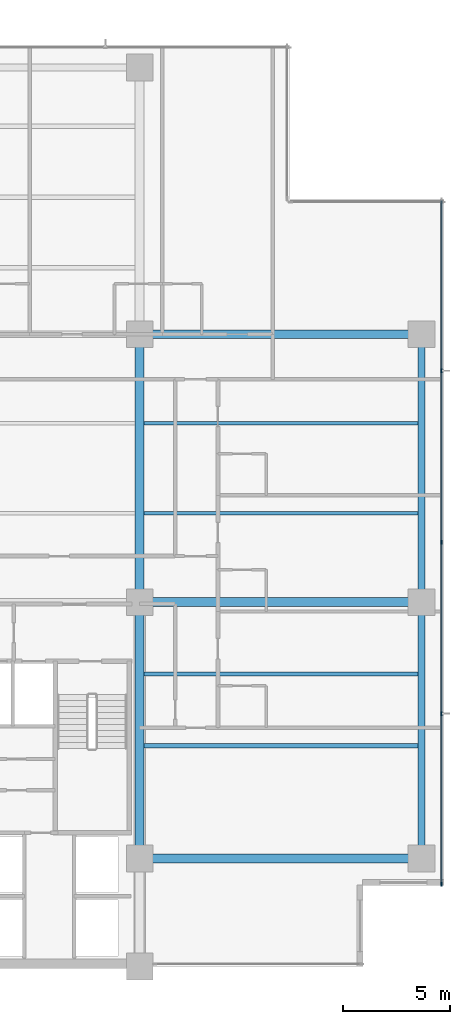
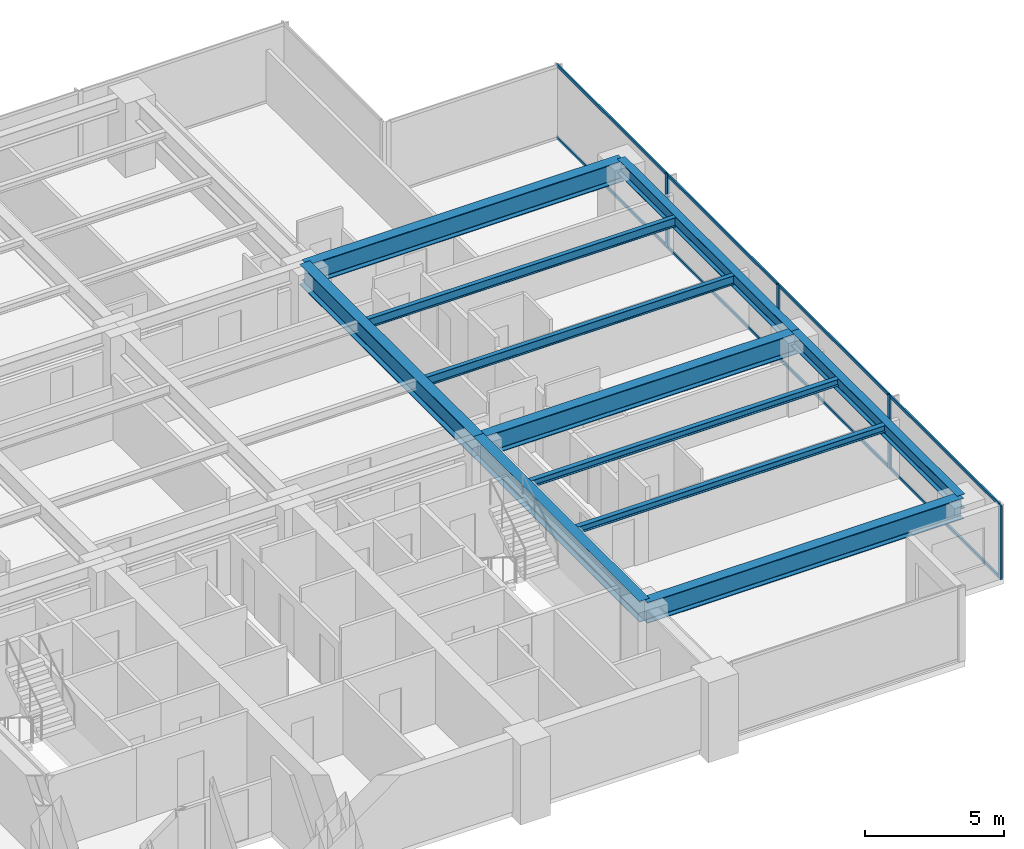
# One storey, part 4 of 17: 12 members, 11 beams, 1 element without a shape of its own.
"""IFC4 building model written with IfcOpenShell, lengths in metres."""

from ifc_helpers import new_model, si_unit, direction, frame, origin, origin_2d, place, context, subcontext, project, spatial, rectangle, i_section, extrude, material, layer, layer_set, material_profile, profile_set, type_object, element, aggregate, save


model = new_model("IFC4")

# Units and contexts
model_context = context("Model", 3, precision=1e-05, world=origin(), true_north=direction((0.0, 1.0)))
body_context = subcontext(model_context, "Body", "Model", "MODEL_VIEW")
ifc_project = project(units=[si_unit("LENGTHUNIT", "METRE"), si_unit("AREAUNIT", "SQUARE_METRE"), si_unit("VOLUMEUNIT", "CUBIC_METRE"), si_unit("PLANEANGLEUNIT", "RADIAN"), si_unit("MASSUNIT", "GRAM", prefix="KILO")], contexts=[model_context])

# Site, building, storey
site_placement = place(None, origin())
site = spatial("IfcSite", under=ifc_project, at=site_placement, CompositionType="ELEMENT")
building_placement = place(site_placement, origin())
building = spatial("IfcBuilding", under=site, at=building_placement, Name="Qalmaran Belvedere Hotel", CompositionType="ELEMENT")
storey_placement = place(building_placement, frame((0.0, 0.0, 109.199951171875)))
storey = spatial("IfcBuildingStorey", under=building, at=storey_placement, Name="L27", CompositionType="ELEMENT", Elevation=109.199951171875)

# Beams
ifc_material_1 = material(Name="Steel S355JR", Category="steel")
ifc_material_profile_1 = material_profile(ifc_material_1, i_section(OverallWidth=0.202880859375, OverallDepth=0.302978515625, WebThickness=0.007568359375, FlangeThickness=0.01318359375, FilletRadius=0.012939453125, at=origin_2d()), Name="W310X60")
ifc_profile_set_1 = profile_set([ifc_material_profile_1], Name="Steel S355JR")
beam_type_1 = type_object("IfcBeamType", Name="BM-JST-W310X60", PredefinedType="JOIST", material=ifc_profile_set_1)
for number, where, z_axis, x_axis, name in (
    (1, (45.007080078125, 13.800048828125, 3.088623046875), (1.0, 0.0, 0.0), (0.0, 1.0, 0.0), "L27 East Wing Joist 039"),
    (2, (45.007080078125, 17.14990234375, 3.088623046875), (1.0, 0.0, 0.0), (0.0, 1.0, 0.0), "L27 East Wing Joist 041"),
):
    element("IfcBeam", number, at=place(storey_placement, frame(where, z_axis=z_axis, x_axis=x_axis)), inside=storey, type_object=beam_type_1, Name=name, PredefinedType="JOIST", context=body_context, shape_type="SweptSolid", body=[
        extrude(i_section(OverallWidth=0.202880859375, OverallDepth=0.302978515625, WebThickness=0.007568359375, FlangeThickness=0.01318359375, FilletRadius=0.012939453125, at=origin_2d()), origin(), (0.0, 0.0, 1.0), 12.781494140625),
    ])
ifc_material_profile_2 = material_profile(ifc_material_1, i_section(OverallWidth=0.41796875, OverallDepth=0.912109375, WebThickness=0.019287109375, FlangeThickness=0.031982421875, FilletRadius=0.02392578125, at=origin_2d()), Name="W920X342")
ifc_profile_set_2 = profile_set([ifc_material_profile_2], Name="Steel S355JR")
beam_type_2 = type_object("IfcBeamType", Name="BM-PG2-W920X342", PredefinedType="USERDEFINED", material=ifc_profile_set_2)
beam_1_placement = place(storey_placement, frame((44.800048828125, 20.5, 2.783935546875), z_axis=(0.0, 1.0, 0.0), x_axis=(-1.0, 0.0, 0.0)))
element("IfcBeam", 3, at=beam_1_placement, inside=storey, type_object=beam_type_2, Name="L27 Mid-Plate N-S Girder 20", ObjectType="GIRDER", PredefinedType="USERDEFINED", context=body_context, shape_type="SweptSolid", body=[
    extrude(i_section(OverallWidth=0.41796875, OverallDepth=0.912109375, WebThickness=0.019287109375, FlangeThickness=0.031982421875, FilletRadius=0.02392578125, at=origin_2d()), origin(), (0.0, 0.0, 1.0), 12.5),
])
beam_2_placement = place(storey_placement, frame((44.800048828125, 8.550048828125, 2.783935546875), z_axis=(0.0, 1.0, 0.0), x_axis=(-1.0, 0.0, 0.0)))
element("IfcBeam", 4, at=beam_2_placement, inside=storey, type_object=beam_type_2, Name="L27 East Core Edge Girder B", ObjectType="GIRDER", PredefinedType="USERDEFINED", context=body_context, shape_type="SweptSolid", body=[
    extrude(i_section(OverallWidth=0.41796875, OverallDepth=0.912109375, WebThickness=0.019287109375, FlangeThickness=0.031982421875, FilletRadius=0.02392578125, at=origin_2d()), origin(), (0.0, 0.0, 1.0), 11.949951171875),
])
for number, where, z_axis, x_axis, name in (
    (5, (44.800048828125, 8.550048828125, 2.783935546875), (1.0, 0.0, 0.0), (0.0, 1.0, 0.0), "L27 East Wing Girder 25"),
    (6, (44.800048828125, 20.5, 2.783935546875), (1.0, 0.0, 0.0), (0.0, 1.0, 0.0), "L27 East Wing Girder 26"),
    (7, (44.800048828125, 33.0, 2.783935546875), (1.0, 0.0, 0.0), (0.0, 1.0, 0.0), "L27 East Wing Girder 27"),
):
    element("IfcBeam", number, at=place(storey_placement, frame(where, z_axis=z_axis, x_axis=x_axis)), inside=storey, type_object=beam_type_2, Name=name, ObjectType="GIRDER", PredefinedType="USERDEFINED", context=body_context, shape_type="SweptSolid", body=[
        extrude(i_section(OverallWidth=0.41796875, OverallDepth=0.912109375, WebThickness=0.019287109375, FlangeThickness=0.031982421875, FilletRadius=0.02392578125, at=origin_2d()), origin(), (0.0, 0.0, 1.0), 13.14990234375),
    ])
ifc_material_profile_3 = material_profile(ifc_material_1, i_section(OverallWidth=0.177978515625, OverallDepth=0.406982421875, WebThickness=0.0078125, FlangeThickness=0.0126953125, FilletRadius=0.014892578125, at=origin_2d()), Name="W410X60")
ifc_profile_set_3 = profile_set([ifc_material_profile_3], Name="Steel S355JR")
beam_type_3 = type_object("IfcBeamType", Name="BM-SB2-W410X60", PredefinedType="BEAM", material=ifc_profile_set_3)
for number, where, z_axis, x_axis, name in (
    (8, (45.007080078125, 24.64990234375, 3.03662109375), (1.0, 0.0, 0.0), (0.0, 1.0, 0.0), "L27 East Secondary Beam 032"),
    (9, (45.007080078125, 28.85009765625, 3.03662109375), (1.0, 0.0, 0.0), (0.0, 1.0, 0.0), "L27 East Secondary Beam 037"),
):
    element("IfcBeam", number, at=place(storey_placement, frame(where, z_axis=z_axis, x_axis=x_axis)), inside=storey, type_object=beam_type_3, Name=name, PredefinedType="BEAM", context=body_context, shape_type="SweptSolid", body=[
        extrude(i_section(OverallWidth=0.177978515625, OverallDepth=0.406982421875, WebThickness=0.0078125, FlangeThickness=0.0126953125, FilletRadius=0.014892578125, at=origin_2d()), origin(), (0.0, 0.0, 1.0), 12.781494140625),
    ])
ifc_material_profile_4 = material_profile(ifc_material_1, i_section(OverallWidth=0.326904296875, OverallDepth=0.6220703125, WebThickness=0.015380859375, FlangeThickness=0.0244140625, FilletRadius=0.02001953125, at=origin_2d()), Name="W610X195")
ifc_profile_set_4 = profile_set([ifc_material_profile_4], Name="Steel S355JR")
beam_type_4 = type_object("IfcBeamType", Name="BM-SP1-W610X195", PredefinedType="SPANDREL", material=ifc_profile_set_4)
beam_3_placement = place(storey_placement, frame((57.949951171875, 8.550048828125, 2.928955078125), z_axis=(0.0, 1.0, 0.0), x_axis=(-1.0, 0.0, 0.0)))
element("IfcBeam", 10, at=beam_3_placement, inside=storey, type_object=beam_type_4, Name="L27 Perimeter Spandrel 03", PredefinedType="SPANDREL", context=body_context, shape_type="SweptSolid", body=[
    extrude(i_section(OverallWidth=0.326904296875, OverallDepth=0.6220703125, WebThickness=0.015380859375, FlangeThickness=0.0244140625, FilletRadius=0.02001953125, at=origin_2d()), origin(), (0.0, 0.0, 1.0), 11.949951171875),
])
beam_4_placement = place(storey_placement, frame((57.949951171875, 20.5, 2.928955078125), z_axis=(0.0, 1.0, 0.0), x_axis=(-1.0, 0.0, 0.0)))
element("IfcBeam", 11, at=beam_4_placement, inside=storey, type_object=beam_type_4, Name="L27 Perimeter Spandrel 04", PredefinedType="SPANDREL", context=body_context, shape_type="SweptSolid", body=[
    extrude(i_section(OverallWidth=0.326904296875, OverallDepth=0.6220703125, WebThickness=0.015380859375, FlangeThickness=0.0244140625, FilletRadius=0.02001953125, at=origin_2d()), origin(), (0.0, 0.0, 1.0), 12.5),
])

# Curtain wall, members
ifc_material_2 = material(Name="Anodised Bronze Aluminium", Category="aluminium")
ifc_layer = layer(ifc_material_2, 0.199951171875, Name="Anodised Bronze Aluminium")
ifc_layer_set = layer_set([ifc_layer], Name="Anodised Bronze Aluminium")
curtain_wall_type = type_object("IfcCurtainWallType", Name="CW3-TOWER-LOWMID", PredefinedType="NOTDEFINED", material=ifc_layer_set)
curtain_wall_placement = place(storey_placement, origin())
curtain_wall = element("IfcCurtainWall", 12, at=curtain_wall_placement, inside=storey, type_object=curtain_wall_type, Name="L27 Curtain Wall CW3", PredefinedType="NOTDEFINED")
ifc_material_profile_5 = material_profile(ifc_material_2, rectangle(XDim=0.070068359375, YDim=0.18994140625, at=origin_2d()), Name="CWM70X190")
ifc_profile_set_5 = profile_set([ifc_material_profile_5], Name="Anodised Bronze Aluminium")
member_type_1 = type_object("IfcMemberType", Name="CWM-70X190", PredefinedType="MULLION", material=ifc_profile_set_5)
member_1_placement = place(storey_placement, frame((58.8798828125, 7.3349609375, 0.0), z_axis=(0.0, 0.0, 1.0), x_axis=(-1.0, 0.0, 0.0)))
member_1 = element("IfcMember", 13, at=member_1_placement, type_object=member_type_1, Name="CW3 mullion 1", PredefinedType="MULLION", context=body_context, shape_type="SweptSolid", body=[
    extrude(rectangle(XDim=0.070068359375, YDim=0.18994140625, at=origin_2d()), origin(), (0.0, 0.0, 1.0), 3.239990234375),
])
member_2_placement = place(storey_placement, frame((58.8798828125, 15.300048828125, 0.0), z_axis=(0.0, 0.0, 1.0), x_axis=(-1.0, 0.0, 0.0)))
member_2 = element("IfcMember", 14, at=member_2_placement, type_object=member_type_1, Name="CW3 mullion 2", PredefinedType="MULLION", context=body_context, shape_type="SweptSolid", body=[
    extrude(rectangle(XDim=0.070068359375, YDim=0.18994140625, at=origin_2d()), origin(), (0.0, 0.0, 1.0), 3.239990234375),
])
member_3_placement = place(storey_placement, frame((58.8798828125, 23.300048828125, 0.0), z_axis=(0.0, 0.0, 1.0), x_axis=(-1.0, 0.0, 0.0)))
member_3 = element("IfcMember", 15, at=member_3_placement, type_object=member_type_1, Name="CW3 mullion 3", PredefinedType="MULLION", context=body_context, shape_type="SweptSolid", body=[
    extrude(rectangle(XDim=0.070068359375, YDim=0.18994140625, at=origin_2d()), origin(), (0.0, 0.0, 1.0), 3.239990234375),
])
member_4_placement = place(storey_placement, frame((58.8798828125, 31.300048828125, 0.0), z_axis=(0.0, 0.0, 1.0), x_axis=(-1.0, 0.0, 0.0)))
member_4 = element("IfcMember", 16, at=member_4_placement, type_object=member_type_1, Name="CW3 mullion 4", PredefinedType="MULLION", context=body_context, shape_type="SweptSolid", body=[
    extrude(rectangle(XDim=0.070068359375, YDim=0.18994140625, at=origin_2d()), origin(), (0.0, 0.0, 1.0), 3.239990234375),
])
ifc_material_profile_6 = material_profile(ifc_material_2, rectangle(XDim=0.06494140625, YDim=0.1298828125, at=origin_2d()), Name="CWT65X130")
ifc_profile_set_6 = profile_set([ifc_material_profile_6], Name="Anodised Bronze Aluminium")
member_type_2 = type_object("IfcMemberType", Name="CWT-65X130", PredefinedType="USERDEFINED", material=ifc_profile_set_6)
member_5_placement = place(storey_placement, frame((58.8798828125, 7.3701171875, 0.032470703125), z_axis=(0.0, 1.0, 0.0), x_axis=(-1.0, 0.0, 0.0)))
member_5 = element("IfcMember", 17, at=member_5_placement, type_object=member_type_2, Name="CW3 transom 1.1", ObjectType="TRANSOM", PredefinedType="USERDEFINED", context=body_context, shape_type="SweptSolid", body=[
    extrude(rectangle(XDim=0.06494140625, YDim=0.1298828125, at=origin_2d()), origin(), (0.0, 0.0, 1.0), 7.894775390625),
])
member_6_placement = place(storey_placement, frame((58.8798828125, 7.3701171875, 3.20751953125), z_axis=(0.0, 1.0, 0.0), x_axis=(-1.0, 0.0, 0.0)))
member_6 = element("IfcMember", 18, at=member_6_placement, type_object=member_type_2, Name="CW3 transom 1.2", ObjectType="TRANSOM", PredefinedType="USERDEFINED", context=body_context, shape_type="SweptSolid", body=[
    extrude(rectangle(XDim=0.06494140625, YDim=0.1298828125, at=origin_2d()), origin(), (0.0, 0.0, 1.0), 7.894775390625),
])
member_7_placement = place(storey_placement, frame((58.8798828125, 15.3349609375, 0.032470703125), z_axis=(0.0, 1.0, 0.0), x_axis=(-1.0, 0.0, 0.0)))
member_7 = element("IfcMember", 19, at=member_7_placement, type_object=member_type_2, Name="CW3 transom 2.1", ObjectType="TRANSOM", PredefinedType="USERDEFINED", context=body_context, shape_type="SweptSolid", body=[
    extrude(rectangle(XDim=0.06494140625, YDim=0.1298828125, at=origin_2d()), origin(), (0.0, 0.0, 1.0), 7.929931640625),
])
member_8_placement = place(storey_placement, frame((58.8798828125, 15.3349609375, 3.20751953125), z_axis=(0.0, 1.0, 0.0), x_axis=(-1.0, 0.0, 0.0)))
member_8 = element("IfcMember", 20, at=member_8_placement, type_object=member_type_2, Name="CW3 transom 2.2", ObjectType="TRANSOM", PredefinedType="USERDEFINED", context=body_context, shape_type="SweptSolid", body=[
    extrude(rectangle(XDim=0.06494140625, YDim=0.1298828125, at=origin_2d()), origin(), (0.0, 0.0, 1.0), 7.929931640625),
])
member_9_placement = place(storey_placement, frame((58.8798828125, 23.3349609375, 0.032470703125), z_axis=(0.0, 1.0, 0.0), x_axis=(-1.0, 0.0, 0.0)))
member_9 = element("IfcMember", 21, at=member_9_placement, type_object=member_type_2, Name="CW3 transom 3.1", ObjectType="TRANSOM", PredefinedType="USERDEFINED", context=body_context, shape_type="SweptSolid", body=[
    extrude(rectangle(XDim=0.06494140625, YDim=0.1298828125, at=origin_2d()), origin(), (0.0, 0.0, 1.0), 7.929931640625),
])
member_10_placement = place(storey_placement, frame((58.8798828125, 23.3349609375, 3.20751953125), z_axis=(0.0, 1.0, 0.0), x_axis=(-1.0, 0.0, 0.0)))
member_10 = element("IfcMember", 22, at=member_10_placement, type_object=member_type_2, Name="CW3 transom 3.2", ObjectType="TRANSOM", PredefinedType="USERDEFINED", context=body_context, shape_type="SweptSolid", body=[
    extrude(rectangle(XDim=0.06494140625, YDim=0.1298828125, at=origin_2d()), origin(), (0.0, 0.0, 1.0), 7.929931640625),
])
member_11_placement = place(storey_placement, frame((58.8798828125, 31.3349609375, 0.032470703125), z_axis=(0.0, 1.0, 0.0), x_axis=(-1.0, 0.0, 0.0)))
member_11 = element("IfcMember", 23, at=member_11_placement, type_object=member_type_2, Name="CW3 transom 4.1", ObjectType="TRANSOM", PredefinedType="USERDEFINED", context=body_context, shape_type="SweptSolid", body=[
    extrude(rectangle(XDim=0.06494140625, YDim=0.1298828125, at=origin_2d()), origin(), (0.0, 0.0, 1.0), 7.89501953125),
])
member_12_placement = place(storey_placement, frame((58.8798828125, 31.3349609375, 3.20751953125), z_axis=(0.0, 1.0, 0.0), x_axis=(-1.0, 0.0, 0.0)))
member_12 = element("IfcMember", 24, at=member_12_placement, type_object=member_type_2, Name="CW3 transom 4.2", ObjectType="TRANSOM", PredefinedType="USERDEFINED", context=body_context, shape_type="SweptSolid", body=[
    extrude(rectangle(XDim=0.06494140625, YDim=0.1298828125, at=origin_2d()), origin(), (0.0, 0.0, 1.0), 7.89501953125),
])
aggregate(curtain_wall, [member_1, member_2, member_3, member_4, member_5, member_6, member_7, member_8, member_9, member_10, member_11, member_12])

save(model, "model.ifc")
